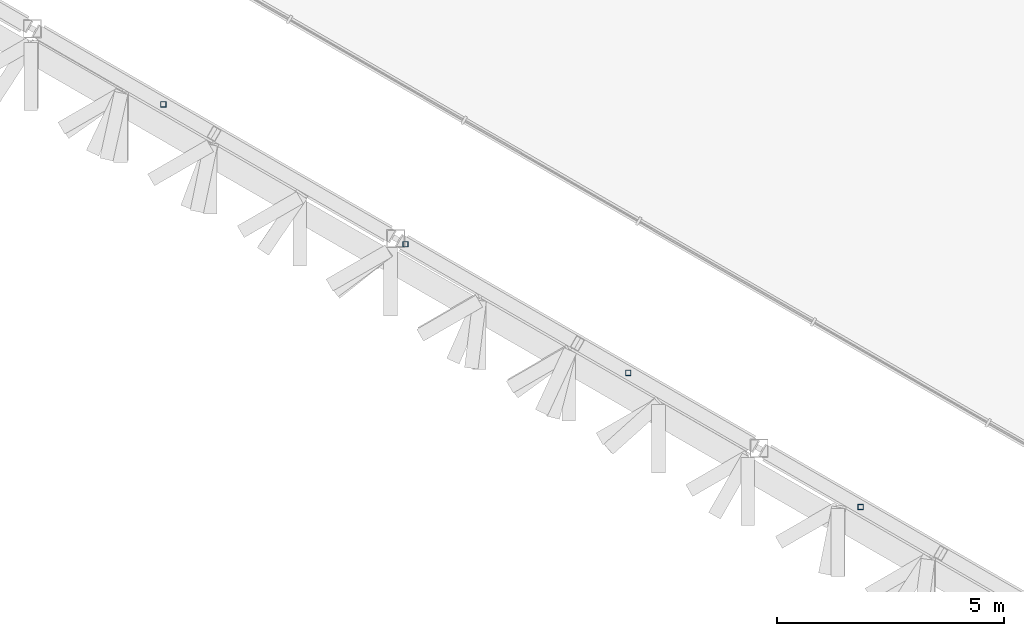
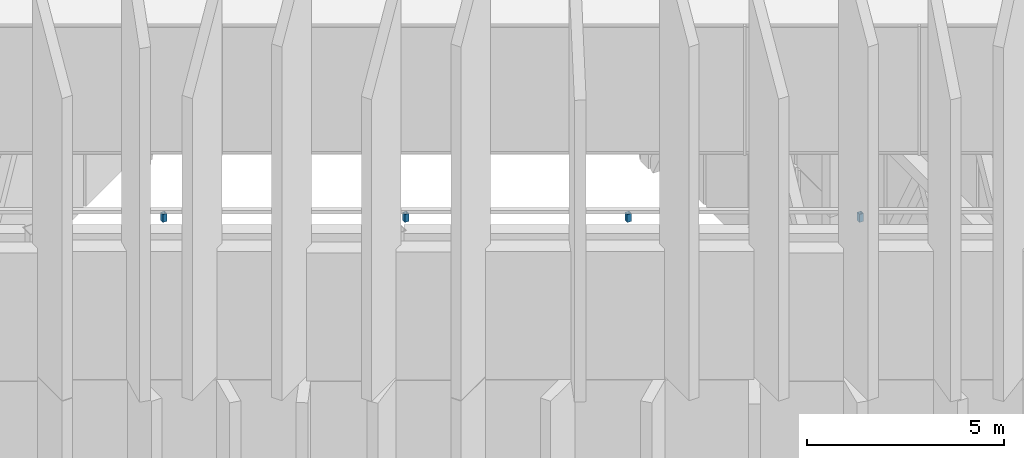
# One storey, part 18 of 45: 4 members.
"""IFC4 building model written with IfcOpenShell, lengths in metres."""

from ifc_helpers import new_model, si_unit, direction, frame, origin, origin_2d, place, context, subcontext, project, spatial, hollow_rectangle, extrude, material, material_profile, profile_set, type_object, element, save


model = new_model("IFC4")

# Units and contexts
model_context = context("Model", 3, precision=1e-05, world=origin(), true_north=direction((0.0, 1.0)))
body_context = subcontext(model_context, "Body", "Model", "MODEL_VIEW")
ifc_project = project(units=[si_unit("LENGTHUNIT", "METRE"), si_unit("AREAUNIT", "SQUARE_METRE"), si_unit("VOLUMEUNIT", "CUBIC_METRE"), si_unit("PLANEANGLEUNIT", "RADIAN"), si_unit("MASSUNIT", "GRAM", prefix="KILO")], contexts=[model_context])

# Site, building, storey
site_placement = place(None, origin())
site = spatial("IfcSite", under=ifc_project, at=site_placement, CompositionType="ELEMENT")
building_placement = place(site_placement, origin())
building = spatial("IfcBuilding", under=site, at=building_placement, Name="Jabali Bay Hotel Tower and Convention Centre", CompositionType="ELEMENT")
storey_placement = place(building_placement, frame((0.0, 0.0, 322.39990234375)))
storey = spatial("IfcBuildingStorey", under=building, at=storey_placement, Name="Crown", CompositionType="ELEMENT", Elevation=322.39990234375)

# Members
ifc_material = material(Name="Steel Q355B", Category="steel")
ifc_material_profile = material_profile(ifc_material, hollow_rectangle(XDim=0.1201171875, YDim=0.1201171875, WallThickness=0.008056640625, at=origin_2d()), Name="BMU rail post")
ifc_profile_set = profile_set([ifc_material_profile], Name="Steel Q355B")
member_type = type_object("IfcMemberType", Name="BMU rail post", PredefinedType="USERDEFINED", material=ifc_profile_set)
for number, where, z_axis, x_axis, name in (
    (1, (60.815673828125, 67.23291015625, 28.35009765625), (0.0, 0.0, 1.0), (1.0, 0.0, 0.0), "BMU rail post 5.4"),
    (2, (66.14208984375, 64.15771484375, 28.35009765625), (0.0, 0.0, 1.0), (1.0, 0.0, 0.0), "BMU rail post 5.5"),
    (3, (71.03564453125, 61.33251953125, 28.35009765625), (0.0, 0.0, 1.0), (1.0, 0.0, 0.0), "BMU rail post 5.6"),
    (4, (76.1455078125, 58.38232421875, 28.35009765625), (0.0, 0.0, 1.0), (1.0, 0.0, 0.0), "BMU rail post 5.7"),
):
    element("IfcMember", number, at=place(storey_placement, frame(where, z_axis=z_axis, x_axis=x_axis)), inside=storey, type_object=member_type, Name=name, ObjectType="BMU RAIL", PredefinedType="USERDEFINED", context=body_context, shape_type="SweptSolid", body=[
        extrude(hollow_rectangle(XDim=0.1201171875, YDim=0.1201171875, WallThickness=0.008056640625, at=origin_2d()), origin(), (0.0, 0.0, 1.0), 0.25),
    ])

save(model, "model.ifc")
